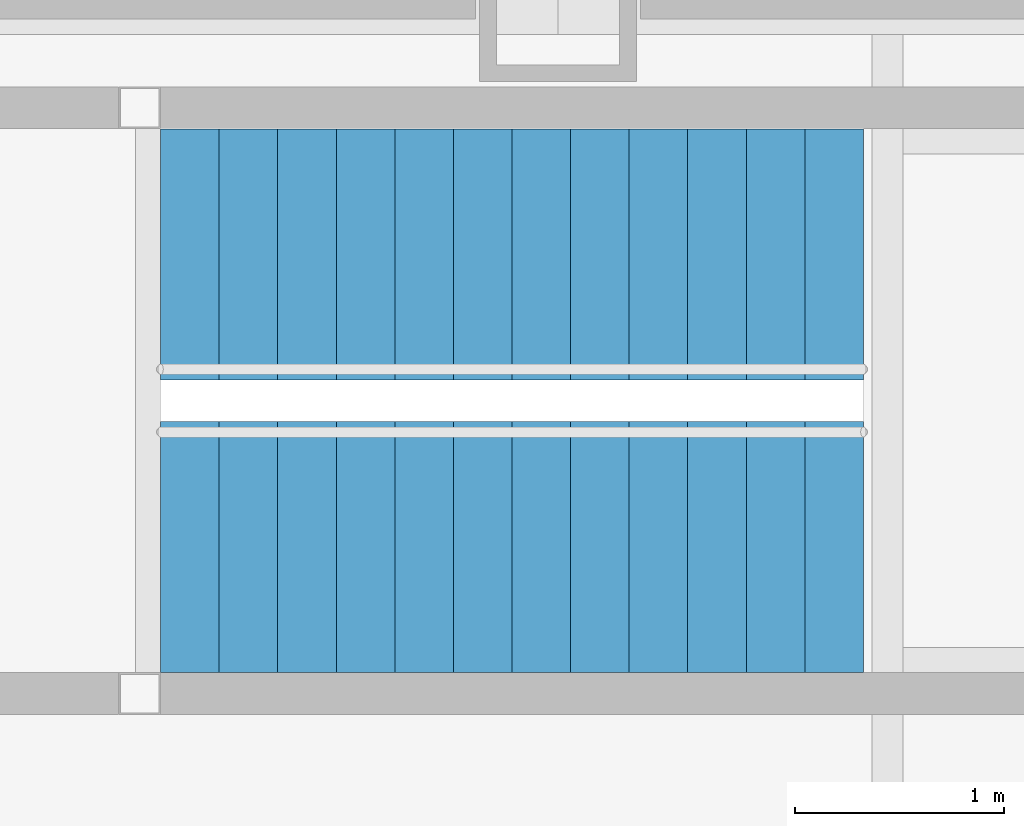
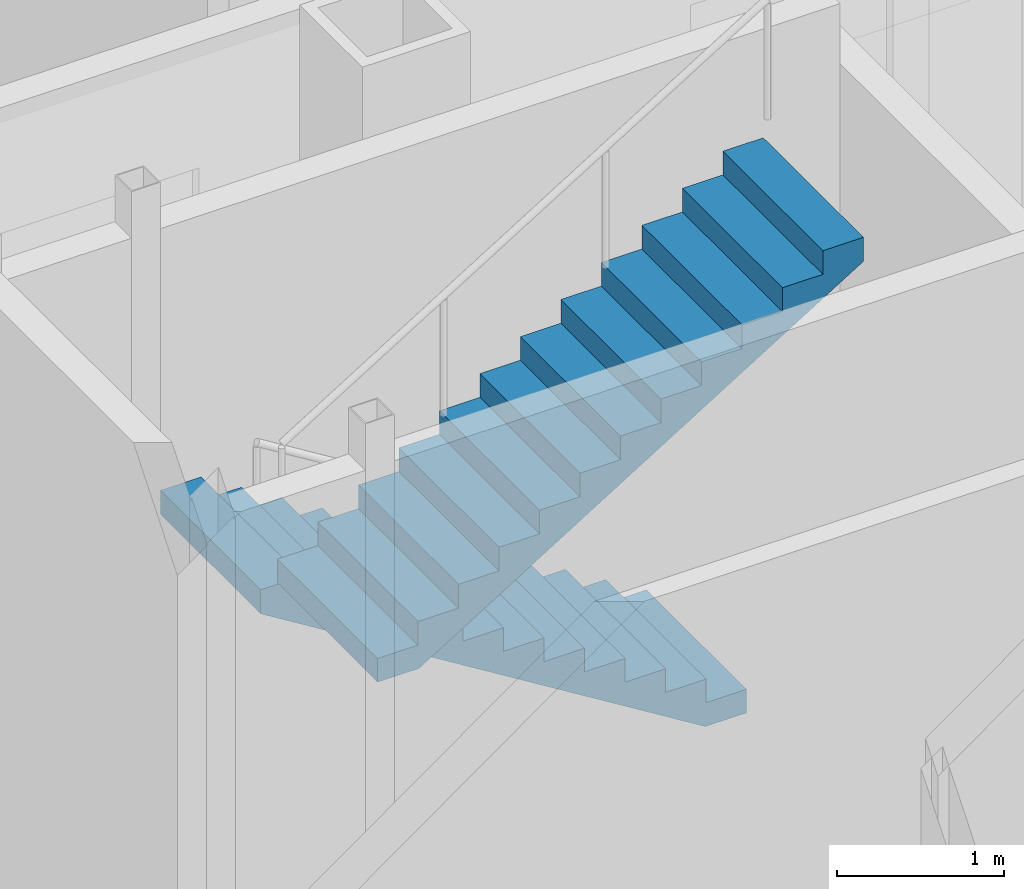
# One storey, part 24 of 28: 2 stair flights, 1 element without a shape of its own.
"""IFC4 building model written with IfcOpenShell, lengths in metres."""

import ifcopenshell
import ifcopenshell.guid

model = None  # the IFC model being written
_history = None  # IfcOwnerHistory: only IFC2X3 demands one
_inside = {}  # id of a spatial element -> (the spatial element, [elements in it])
_under = {}  # id of a project, library or spatial element -> (it, [spatial elements below it])
_declared = {}  # id of a project -> (the project, [libraries it declares])
_typed = {}  # id of a type object -> (the type object, [elements of that type])
_made_of = {}  # id of a material, layer set ... -> (it, [elements and type objects made of it])


def new_model(schema):
    """Start an empty IFC model of exactly this schema.

    Asked for "IFC4X3", IfcOpenShell would pick the latest addendum, in which some entities
    have other attributes; the version numbers below select the first issue.
    IFC2X3 requires an IfcOwnerHistory on every rooted entity: one is made here for all.
    """
    global model, _history
    if schema == "IFC4X3":
        model = ifcopenshell.file(schema_version=(4, 3, 0, 0))
    else:
        model = ifcopenshell.file(schema=schema)
    _inside.clear()
    _under.clear()
    _declared.clear()
    _typed.clear()
    _made_of.clear()
    _history = None
    if model.schema == "IFC2X3":
        org = make("IfcOrganization", Name="unknown")
        user = make(
            "IfcPersonAndOrganization",
            ThePerson=make("IfcPerson", FamilyName="unknown"),
            TheOrganization=org,
        )
        app = make(
            "IfcApplication",
            ApplicationDeveloper=org,
            Version="unknown",
            ApplicationFullName="unknown",
            ApplicationIdentifier="unknown",
        )
        _history = make(
            "IfcOwnerHistory",
            OwningUser=user,
            OwningApplication=app,
            ChangeAction="ADDED",
            CreationDate=0,
        )
    return model


def make(cls, **values):
    """One entity of the class cls with the attributes given. An attribute that is None is left unset."""
    return model.create_entity(
        cls, **{name: value for name, value in values.items() if value is not None}
    )


def rooted(cls, **values):
    """An entity with a GlobalId (a new one), such as an element, a storey or a relation."""
    return make(cls, GlobalId=ifcopenshell.guid.new(), OwnerHistory=_history, **values)


def si_unit(unit_type, name, prefix=None):
    """IfcSIUnit, for example si_unit("LENGTHUNIT", "METRE", prefix="MILLI")."""
    return make("IfcSIUnit", UnitType=unit_type, Prefix=prefix, Name=name)


def assignment(units):
    """IfcUnitAssignment: the units of a project."""
    return None if units is None else make("IfcUnitAssignment", Units=units)


def point(xyz):
    """IfcCartesianPoint."""
    return None if xyz is None else make("IfcCartesianPoint", Coordinates=xyz)


def direction(xyz):
    """IfcDirection."""
    return None if xyz is None else make("IfcDirection", DirectionRatios=xyz)


def frame(location, z_axis=None, x_axis=None):
    """IfcAxis2Placement3D, a coordinate frame: its origin and axes. An axis left out is left unset."""
    return make(
        "IfcAxis2Placement3D",
        Location=point(location),
        Axis=direction(z_axis),
        RefDirection=direction(x_axis),
    )


def origin():
    """The frame at (0, 0, 0) with its axes left unset."""
    return frame((0.0, 0.0, 0.0))


def place(relative_to, where):
    """IfcLocalPlacement: puts the frame where relative to a parent placement (None: the world)."""
    return make(
        "IfcLocalPlacement", PlacementRelTo=relative_to, RelativePlacement=where
    )


def context(
    kind, dimensions, precision=None, world=None, true_north=None, identifier=None
):
    """IfcGeometricRepresentationContext, for example the 3D "Model" context."""
    return make(
        "IfcGeometricRepresentationContext",
        ContextIdentifier=identifier,
        ContextType=kind,
        CoordinateSpaceDimension=dimensions,
        Precision=precision,
        WorldCoordinateSystem=world,
        TrueNorth=true_north,
    )


def subcontext(parent, identifier, kind, view, scale=None):
    """IfcGeometricRepresentationSubContext, for example "Body" below "Model"."""
    return make(
        "IfcGeometricRepresentationSubContext",
        ContextIdentifier=identifier,
        ContextType=kind,
        ParentContext=parent,
        TargetScale=scale,
        TargetView=view,
    )


def project(units=None, contexts=None):
    """IfcProject with its units and contexts."""
    return rooted(
        "IfcProject",
        Name="project",
        RepresentationContexts=contexts,
        UnitsInContext=assignment(units),
    )


def spatial(cls, under=None, at=None, **own):
    """A site, building, storey or space (cls), placed at a placement, below another one or the project."""
    s = rooted(cls, ObjectPlacement=at, **own)
    if under is not None:
        _under.setdefault(under.id(), (under, []))[1].append(s)
    return s


def polyline(points):
    """IfcPolyline through the points."""
    return make("IfcPolyline", Points=[point(p) for p in points])


def outline(outer, holes=None, kind="AREA"):
    """IfcArbitraryClosedProfileDef: a profile drawn as a closed curve; with holes, ...WithVoids."""
    if holes is None:
        return make("IfcArbitraryClosedProfileDef", ProfileType=kind, OuterCurve=outer)
    return make(
        "IfcArbitraryProfileDefWithVoids",
        ProfileType=kind,
        OuterCurve=outer,
        InnerCurves=holes,
    )


def extrude(swept, where, along, depth):
    """IfcExtrudedAreaSolid: the profile swept, set in the frame where, extruded along a direction by depth."""
    return make(
        "IfcExtrudedAreaSolid",
        SweptArea=swept,
        Position=where,
        ExtrudedDirection=direction(along),
        Depth=depth,
    )


def shape(context_of_items, identifier, shape_type, items):
    """IfcShapeRepresentation: the items that make up one representation, for example the "Body"."""
    return make(
        "IfcShapeRepresentation",
        ContextOfItems=context_of_items,
        RepresentationIdentifier=identifier,
        RepresentationType=shape_type,
        Items=items,
    )


def material(Name=None, Category=None):
    """IfcMaterial."""
    return make("IfcMaterial", Name=Name, Category=Category)


def made_of(thing, what):
    """Note that an element or type object is made of a material, layer set ...; save() writes the relation."""
    if what is not None:
        _made_of.setdefault(what.id(), (what, []))[1].append(thing)
    return thing


def type_object(cls, material=None, **own):
    """A type object (cls), such as IfcWallType, which elements share."""
    return made_of(rooted(cls, **own), material)


def element(
    cls,
    number,
    at=None,
    inside=None,
    cuts=None,
    type_object=None,
    material=None,
    context=None,
    identifier="Body",
    shape_type=None,
    held_by="IfcProductDefinitionShape",
    body=None,
    shapes=None,
    **own,
):
    """One element of the class cls, such as IfcWall. Its Tag is "e" and its number.

    at: its placement. inside: the storey or other place that contains it. cuts: it is an
    opening in that element (IfcRelVoidsElement). A single representation is given by context,
    identifier, shape_type and body (its items); several are given by shapes. held_by: the class
    of the entity that holds the representations. save() writes the other relations.
    """
    e = rooted(cls, Tag="e%d" % number, ObjectPlacement=at, **own)
    if body is not None:
        shapes = [shape(context, identifier, shape_type, body)]
    if shapes is not None:
        e.Representation = make(held_by, Representations=shapes)
    if inside is not None:
        _inside.setdefault(inside.id(), (inside, []))[1].append(e)
    if cuts is not None:
        rooted(
            "IfcRelVoidsElement", RelatingBuildingElement=cuts, RelatedOpeningElement=e
        )
    if type_object is not None:
        _typed.setdefault(type_object.id(), (type_object, []))[1].append(e)
    return made_of(e, material)


def aggregate(whole, parts):
    """IfcRelAggregates: a whole, such as a stair, and the parts it consists of."""
    return rooted("IfcRelAggregates", RelatingObject=whole, RelatedObjects=parts)


def save(model, path):
    """Write the relations noted so far, then the file.

    IfcRelAggregates (storeys below a building ...), IfcRelContainedInSpatialStructure (elements
    in a storey), IfcRelDefinesByType, IfcRelAssociatesMaterial and IfcRelDeclares: one each for
    every whole, place, type object, material and project.
    """
    for whole, parts in _under.values():
        aggregate(whole, parts)
    for where, things in _inside.values():
        rooted(
            "IfcRelContainedInSpatialStructure",
            RelatedElements=things,
            RelatingStructure=where,
        )
    for kind, things in _typed.values():
        rooted("IfcRelDefinesByType", RelatedObjects=things, RelatingType=kind)
    for what, things in _made_of.values():
        rooted("IfcRelAssociatesMaterial", RelatedObjects=things, RelatingMaterial=what)
    for by, libraries in _declared.values():
        rooted("IfcRelDeclares", RelatingContext=by, RelatedDefinitions=libraries)
    model.write(path)


model = new_model("IFC4")

# Units and contexts
model_context = context("Model", 3, precision=1e-05, world=origin(), true_north=direction((0.0, 1.0)))
body_context = subcontext(model_context, "Body", "Model", "MODEL_VIEW")
ifc_project = project(units=[si_unit("LENGTHUNIT", "METRE"), si_unit("AREAUNIT", "SQUARE_METRE"), si_unit("VOLUMEUNIT", "CUBIC_METRE"), si_unit("PLANEANGLEUNIT", "RADIAN"), si_unit("MASSUNIT", "GRAM", prefix="KILO")], contexts=[model_context])

# Site, building, storey
site_placement = place(None, origin())
site = spatial("IfcSite", under=ifc_project, at=site_placement, CompositionType="ELEMENT")
building_placement = place(site_placement, origin())
building = spatial("IfcBuilding", under=site, at=building_placement, Name="Kvirike Care Tower", CompositionType="ELEMENT")
storey_placement = place(building_placement, frame((0.0, 0.0, 4.5)))
storey = spatial("IfcBuildingStorey", under=building, at=storey_placement, Name="L01", CompositionType="ELEMENT", Elevation=4.5)

# Stair, stair flights
ifc_material_1 = material(Name="Concrete C35/45", Category="concrete")
stair_type = type_object("IfcStairType", Name="STAIR 26 RISERS", PredefinedType="HALF_TURN_STAIR", material=ifc_material_1)
stair_placement = place(storey_placement, origin())
stair = element("IfcStair", 1, at=stair_placement, inside=storey, type_object=stair_type, Name="Stair 1 L01", PredefinedType="HALF_TURN_STAIR")
ifc_material_2 = material(Name="Concrete C35/45", Category="concrete")
stair_flight_type = type_object("IfcStairFlightType", Name="FLIGHT 13 RISERS", PredefinedType="STRAIGHT", material=ifc_material_2)
stair_flight_1_placement = place(storey_placement, frame((11.06005859375, 42.0, 0.0), z_axis=(0.0, 0.0, 1.0), x_axis=(-1.0, 0.0, 0.0)))
stair_flight_1 = element("IfcStairFlight", 2, at=stair_flight_1_placement, type_object=stair_flight_type, Name="Stair S1 flight 1 L01-L02", NumberOfRisers=13, NumberOfTreads=12, PredefinedType="STRAIGHT", RiserHeight=0.173076923, TreadLength=0.28, context=body_context, shape_type="SweptSolid", body=[
    extrude(outline(polyline([(0.0, 0.0), (0.0, 0.173095703125), (0.280029296875, 0.173095703125), (0.280029296875, 0.34619140625), (0.56005859375, 0.34619140625), (0.56005859375, 0.519287109375), (0.840087890625, 0.519287109375), (0.840087890625, 0.6923828125), (1.1201171875, 0.6923828125), (1.1201171875, 0.865478515625), (1.39990234375, 0.865478515625), (1.39990234375, 1.03857421875), (1.679931640625, 1.03857421875), (1.679931640625, 1.21142578125), (1.9599609375, 1.21142578125), (1.9599609375, 1.384521484375), (2.239990234375, 1.384521484375), (2.239990234375, 1.5576171875), (2.52001953125, 1.5576171875), (2.52001953125, 1.730712890625), (2.800048828125, 1.730712890625), (2.800048828125, 1.90380859375), (3.080078125, 1.90380859375), (3.080078125, 2.076904296875), (3.360107421875, 2.076904296875), (3.360107421875, 2.25), (3.360107421875, 1.900634765625), (0.28515625, 0.0), (0.0, 0.0)])), frame((0.0, 0.60009765625, 0.0), z_axis=(0.0, -1.0, 0.0), x_axis=(1.0, 0.0, 0.0)), (0.0, 0.0, 1.0), 1.199951171875),
])
stair_flight_2_placement = place(storey_placement, frame((7.699951171875, 40.60009765625, 2.25), z_axis=(0.0, 0.0, 1.0), x_axis=(1.0, 0.0, 0.0)))
stair_flight_2 = element("IfcStairFlight", 3, at=stair_flight_2_placement, type_object=stair_flight_type, Name="Stair S1 flight 2 L01-L02", NumberOfRisers=13, NumberOfTreads=12, PredefinedType="STRAIGHT", RiserHeight=0.173076923, TreadLength=0.28, context=body_context, shape_type="SweptSolid", body=[
    extrude(outline(polyline([(0.0, 0.0), (0.0, 0.173095703125), (0.280029296875, 0.173095703125), (0.280029296875, 0.34619140625), (0.56005859375, 0.34619140625), (0.56005859375, 0.519287109375), (0.840087890625, 0.519287109375), (0.840087890625, 0.6923828125), (1.1201171875, 0.6923828125), (1.1201171875, 0.865478515625), (1.39990234375, 0.865478515625), (1.39990234375, 1.03857421875), (1.679931640625, 1.03857421875), (1.679931640625, 1.21142578125), (1.9599609375, 1.21142578125), (1.9599609375, 1.384521484375), (2.239990234375, 1.384521484375), (2.239990234375, 1.5576171875), (2.52001953125, 1.5576171875), (2.52001953125, 1.730712890625), (2.800048828125, 1.730712890625), (2.800048828125, 1.90380859375), (3.080078125, 1.90380859375), (3.080078125, 2.076904296875), (3.360107421875, 2.076904296875), (3.360107421875, 2.25), (3.360107421875, 1.900634765625), (0.28515625, 0.0), (0.0, 0.0)])), frame((0.0, 0.60009765625, 0.0), z_axis=(0.0, -1.0, 0.0), x_axis=(1.0, 0.0, 0.0)), (0.0, 0.0, 1.0), 1.199951171875),
])
aggregate(stair, [stair_flight_1, stair_flight_2])

save(model, "model.ifc")
